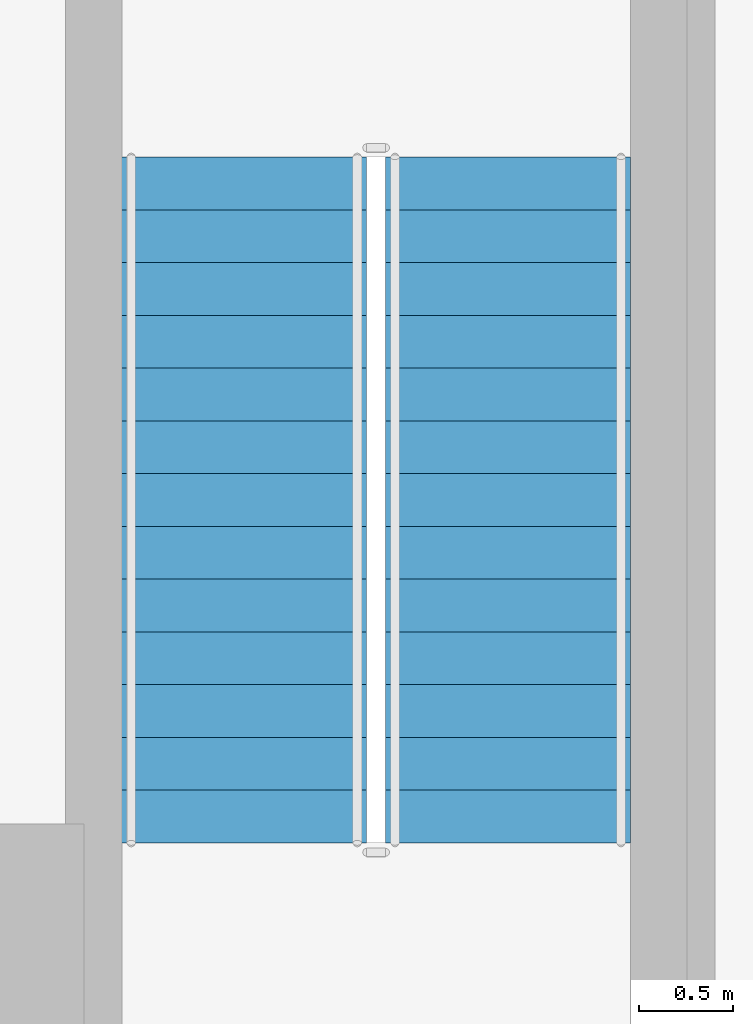
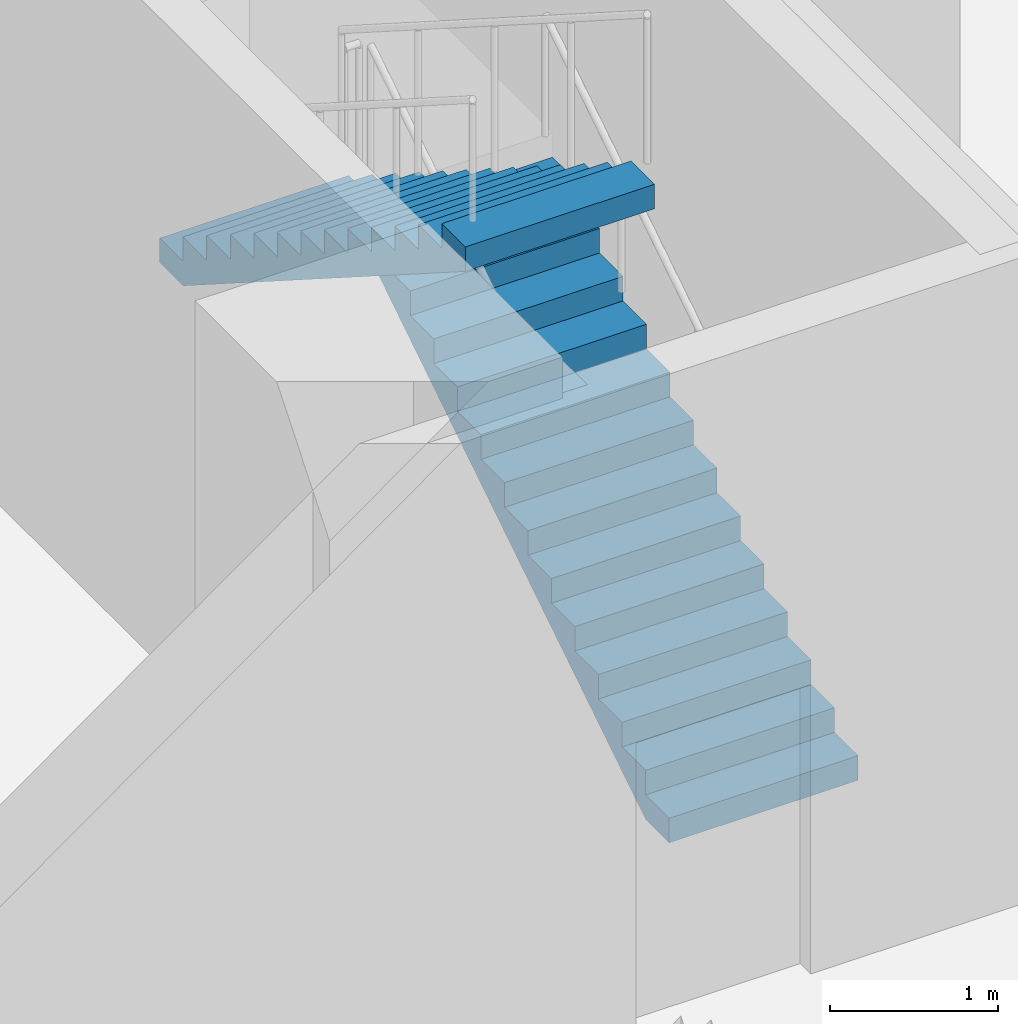
# One storey, part 15 of 31: 2 stair flights, 1 element without a shape of its own.
"""IFC4 building model written with IfcOpenShell, lengths in metres."""

from ifc_helpers import new_model, si_unit, direction, frame, origin, place, context, subcontext, project, spatial, triangles, source, transform, mapped, material, type_object, element, aggregate, save


model = new_model("IFC4")

# Units and contexts
model_context = context("Model", 3, precision=1e-05, world=origin(), true_north=direction((0.0, 1.0)))
body_context = subcontext(model_context, "Body", "Model", "MODEL_VIEW")
ifc_project = project(units=[si_unit("LENGTHUNIT", "METRE"), si_unit("AREAUNIT", "SQUARE_METRE"), si_unit("VOLUMEUNIT", "CUBIC_METRE"), si_unit("PLANEANGLEUNIT", "RADIAN"), si_unit("MASSUNIT", "GRAM", prefix="KILO")], contexts=[model_context])

# Site, building, storey
site_placement = place(None, origin())
site = spatial("IfcSite", under=ifc_project, at=site_placement, CompositionType="ELEMENT")
building_placement = place(site_placement, origin())
building = spatial("IfcBuilding", under=site, at=building_placement, Name="Ogive Portal Towers", CompositionType="ELEMENT")
storey_placement = place(building_placement, frame((0.0, 0.0, 13.5)))
storey = spatial("IfcBuildingStorey", under=building, at=storey_placement, Name="L02", CompositionType="ELEMENT", Elevation=13.5)

# Stair, stair flights
ifc_material = material(Name="Concrete C40/50", Category="concrete")
stair_type = type_object("IfcStairType", Name="INT-STAIR", PredefinedType="HALF_TURN_STAIR", material=ifc_material)
stair_placement = place(storey_placement, origin())
stair = element("IfcStair", 1, at=stair_placement, inside=storey, type_object=stair_type, Name="L02 Exit Stair ST-A3", PredefinedType="HALF_TURN_STAIR")
stair_flight_type = type_object("IfcStairFlightType", Name="INT-FLIGHT", PredefinedType="STRAIGHT", material=ifc_material)
shared_shape = source(origin(), body_context, "Body", "Tessellation", [
    triangles([(0.0, -0.650146484375, 0.0), (0.0, -0.376220703125, 0.0), (0.0, -0.192626953125, 0.0), (0.0, -0.081298828125, 0.0), (0.0, -0.024169921875, 0.0), (0.0, -0.003173828125, 0.0), (0.0, 0.0, 0.0), (0.0, 0.0029296875, 0.0), (0.0, 0.02392578125, 0.0), (0.0, 0.0810546875, 0.0), (0.0, 0.1923828125, 0.0), (0.0, 0.3759765625, 0.0), (0.0, 0.64990234375, 0.0), (0.0, -0.650146484375, 0.178466796875), (0.0, -0.376220703125, 0.178466796875), (0.0, -0.192626953125, 0.178466796875), (0.0, -0.081298828125, 0.178466796875), (0.0, -0.024169921875, 0.178466796875), (0.0, -0.003173828125, 0.178466796875), (0.0, 0.0, 0.178466796875), (0.0, 0.0029296875, 0.178466796875), (0.0, 0.02392578125, 0.178466796875), (0.0, 0.0810546875, 0.178466796875), (0.0, 0.1923828125, 0.178466796875), (0.0, 0.3759765625, 0.178466796875), (0.0, 0.64990234375, 0.178466796875), (0.280029296875, -0.650146484375, 0.178466796875), (0.280029296875, -0.376220703125, 0.178466796875), (0.280029296875, -0.192626953125, 0.178466796875), (0.280029296875, -0.081298828125, 0.178466796875), (0.280029296875, -0.024169921875, 0.178466796875), (0.280029296875, -0.003173828125, 0.178466796875), (0.280029296875, 0.0, 0.178466796875), (0.280029296875, 0.0029296875, 0.178466796875), (0.280029296875, 0.02392578125, 0.178466796875), (0.280029296875, 0.0810546875, 0.178466796875), (0.280029296875, 0.1923828125, 0.178466796875), (0.280029296875, 0.3759765625, 0.178466796875), (0.280029296875, 0.64990234375, 0.178466796875), (0.280029296875, -0.650146484375, 0.357177734375), (0.280029296875, -0.376220703125, 0.357177734375), (0.280029296875, -0.192626953125, 0.357177734375), (0.280029296875, -0.081298828125, 0.357177734375), (0.280029296875, -0.024169921875, 0.357177734375), (0.280029296875, -0.003173828125, 0.357177734375), (0.280029296875, 0.0, 0.357177734375), (0.280029296875, 0.0029296875, 0.357177734375), (0.280029296875, 0.02392578125, 0.357177734375), (0.280029296875, 0.0810546875, 0.357177734375), (0.280029296875, 0.1923828125, 0.357177734375), (0.280029296875, 0.3759765625, 0.357177734375), (0.280029296875, 0.64990234375, 0.357177734375), (0.56005859375, -0.650146484375, 0.357177734375), (0.56005859375, -0.376220703125, 0.357177734375), (0.56005859375, -0.192626953125, 0.357177734375), (0.56005859375, -0.081298828125, 0.357177734375), (0.56005859375, -0.024169921875, 0.357177734375), (0.56005859375, -0.003173828125, 0.357177734375), (0.56005859375, 0.0, 0.357177734375), (0.56005859375, 0.0029296875, 0.357177734375), (0.56005859375, 0.02392578125, 0.357177734375), (0.56005859375, 0.0810546875, 0.357177734375), (0.56005859375, 0.1923828125, 0.357177734375), (0.56005859375, 0.3759765625, 0.357177734375), (0.56005859375, 0.64990234375, 0.357177734375), (0.56005859375, -0.650146484375, 0.53564453125), (0.56005859375, -0.376220703125, 0.53564453125), (0.56005859375, -0.192626953125, 0.53564453125), (0.56005859375, -0.081298828125, 0.53564453125), (0.56005859375, -0.024169921875, 0.53564453125), (0.56005859375, -0.003173828125, 0.53564453125), (0.56005859375, 0.0, 0.53564453125), (0.56005859375, 0.0029296875, 0.53564453125), (0.56005859375, 0.02392578125, 0.53564453125), (0.56005859375, 0.0810546875, 0.53564453125), (0.56005859375, 0.1923828125, 0.53564453125), (0.56005859375, 0.3759765625, 0.53564453125), (0.56005859375, 0.64990234375, 0.53564453125), (0.840087890625, -0.650146484375, 0.53564453125), (0.840087890625, -0.376220703125, 0.53564453125), (0.840087890625, -0.192626953125, 0.53564453125), (0.840087890625, -0.081298828125, 0.53564453125), (0.840087890625, -0.024169921875, 0.53564453125), (0.840087890625, -0.003173828125, 0.53564453125), (0.840087890625, 0.0, 0.53564453125), (0.840087890625, 0.0029296875, 0.53564453125), (0.840087890625, 0.02392578125, 0.53564453125), (0.840087890625, 0.0810546875, 0.53564453125), (0.840087890625, 0.1923828125, 0.53564453125), (0.840087890625, 0.3759765625, 0.53564453125), (0.840087890625, 0.64990234375, 0.53564453125), (0.840087890625, -0.650146484375, 0.71435546875), (0.840087890625, -0.376220703125, 0.71435546875), (0.840087890625, -0.192626953125, 0.71435546875), (0.840087890625, -0.081298828125, 0.71435546875), (0.840087890625, -0.024169921875, 0.71435546875), (0.840087890625, -0.003173828125, 0.71435546875), (0.840087890625, 0.0, 0.71435546875), (0.840087890625, 0.0029296875, 0.71435546875), (0.840087890625, 0.02392578125, 0.71435546875), (0.840087890625, 0.0810546875, 0.71435546875), (0.840087890625, 0.1923828125, 0.71435546875), (0.840087890625, 0.3759765625, 0.71435546875), (0.840087890625, 0.64990234375, 0.71435546875), (1.1201171875, -0.650146484375, 0.71435546875), (1.1201171875, -0.376220703125, 0.71435546875), (1.1201171875, -0.192626953125, 0.71435546875), (1.1201171875, -0.081298828125, 0.71435546875), (1.1201171875, -0.024169921875, 0.71435546875), (1.1201171875, -0.003173828125, 0.71435546875), (1.1201171875, 0.0, 0.71435546875), (1.1201171875, 0.0029296875, 0.71435546875), (1.1201171875, 0.02392578125, 0.71435546875), (1.1201171875, 0.0810546875, 0.71435546875), (1.1201171875, 0.1923828125, 0.71435546875), (1.1201171875, 0.3759765625, 0.71435546875), (1.1201171875, 0.64990234375, 0.71435546875), (1.1201171875, -0.650146484375, 0.892822265625), (1.1201171875, -0.376220703125, 0.892822265625), (1.1201171875, -0.192626953125, 0.892822265625), (1.1201171875, -0.081298828125, 0.892822265625), (1.1201171875, -0.024169921875, 0.892822265625), (1.1201171875, -0.003173828125, 0.892822265625), (1.1201171875, 0.0, 0.892822265625), (1.1201171875, 0.0029296875, 0.892822265625), (1.1201171875, 0.02392578125, 0.892822265625), (1.1201171875, 0.0810546875, 0.892822265625), (1.1201171875, 0.1923828125, 0.892822265625), (1.1201171875, 0.3759765625, 0.892822265625), (1.1201171875, 0.64990234375, 0.892822265625), (1.39990234375, -0.650146484375, 0.892822265625), (1.39990234375, -0.376220703125, 0.892822265625), (1.39990234375, -0.192626953125, 0.892822265625), (1.39990234375, -0.081298828125, 0.892822265625), (1.39990234375, -0.024169921875, 0.892822265625), (1.39990234375, -0.003173828125, 0.892822265625), (1.39990234375, 0.0, 0.892822265625), (1.39990234375, 0.0029296875, 0.892822265625), (1.39990234375, 0.02392578125, 0.892822265625), (1.39990234375, 0.0810546875, 0.892822265625), (1.39990234375, 0.1923828125, 0.892822265625), (1.39990234375, 0.3759765625, 0.892822265625), (1.39990234375, 0.64990234375, 0.892822265625), (1.39990234375, -0.650146484375, 1.071533203125), (1.39990234375, -0.376220703125, 1.071533203125), (1.39990234375, -0.192626953125, 1.071533203125), (1.39990234375, -0.081298828125, 1.071533203125), (1.39990234375, -0.024169921875, 1.071533203125), (1.39990234375, -0.003173828125, 1.071533203125), (1.39990234375, 0.0, 1.071533203125), (1.39990234375, 0.0029296875, 1.071533203125), (1.39990234375, 0.02392578125, 1.071533203125), (1.39990234375, 0.0810546875, 1.071533203125), (1.39990234375, 0.1923828125, 1.071533203125), (1.39990234375, 0.3759765625, 1.071533203125), (1.39990234375, 0.64990234375, 1.071533203125), (1.679931640625, -0.650146484375, 1.071533203125), (1.679931640625, -0.376220703125, 1.071533203125), (1.679931640625, -0.192626953125, 1.071533203125), (1.679931640625, -0.081298828125, 1.071533203125), (1.679931640625, -0.024169921875, 1.071533203125), (1.679931640625, -0.003173828125, 1.071533203125), (1.679931640625, 0.0, 1.071533203125), (1.679931640625, 0.0029296875, 1.071533203125), (1.679931640625, 0.02392578125, 1.071533203125), (1.679931640625, 0.0810546875, 1.071533203125), (1.679931640625, 0.1923828125, 1.071533203125), (1.679931640625, 0.3759765625, 1.071533203125), (1.679931640625, 0.64990234375, 1.071533203125), (1.679931640625, -0.650146484375, 1.25), (1.679931640625, -0.376220703125, 1.25), (1.679931640625, -0.192626953125, 1.25), (1.679931640625, -0.081298828125, 1.25), (1.679931640625, -0.024169921875, 1.25), (1.679931640625, -0.003173828125, 1.25), (1.679931640625, 0.0, 1.25), (1.679931640625, 0.0029296875, 1.25), (1.679931640625, 0.02392578125, 1.25), (1.679931640625, 0.0810546875, 1.25), (1.679931640625, 0.1923828125, 1.25), (1.679931640625, 0.3759765625, 1.25), (1.679931640625, 0.64990234375, 1.25), (1.9599609375, -0.650146484375, 1.25), (1.9599609375, -0.376220703125, 1.25), (1.9599609375, -0.192626953125, 1.25), (1.9599609375, -0.081298828125, 1.25), (1.9599609375, -0.024169921875, 1.25), (1.9599609375, -0.003173828125, 1.25), (1.9599609375, 0.0, 1.25), (1.9599609375, 0.0029296875, 1.25), (1.9599609375, 0.02392578125, 1.25), (1.9599609375, 0.0810546875, 1.25), (1.9599609375, 0.1923828125, 1.25), (1.9599609375, 0.3759765625, 1.25), (1.9599609375, 0.64990234375, 1.25), (1.9599609375, -0.650146484375, 1.428466796875), (1.9599609375, -0.376220703125, 1.428466796875), (1.9599609375, -0.192626953125, 1.428466796875), (1.9599609375, -0.081298828125, 1.428466796875), (1.9599609375, -0.024169921875, 1.428466796875), (1.9599609375, -0.003173828125, 1.428466796875), (1.9599609375, 0.0, 1.428466796875), (1.9599609375, 0.0029296875, 1.428466796875), (1.9599609375, 0.02392578125, 1.428466796875), (1.9599609375, 0.0810546875, 1.428466796875), (1.9599609375, 0.1923828125, 1.428466796875), (1.9599609375, 0.3759765625, 1.428466796875), (1.9599609375, 0.64990234375, 1.428466796875), (2.239990234375, -0.650146484375, 1.428466796875), (2.239990234375, -0.376220703125, 1.428466796875), (2.239990234375, -0.192626953125, 1.428466796875), (2.239990234375, -0.081298828125, 1.428466796875), (2.239990234375, -0.024169921875, 1.428466796875), (2.239990234375, -0.003173828125, 1.428466796875), (2.239990234375, 0.0, 1.428466796875), (2.239990234375, 0.0029296875, 1.428466796875), (2.239990234375, 0.02392578125, 1.428466796875), (2.239990234375, 0.0810546875, 1.428466796875), (2.239990234375, 0.1923828125, 1.428466796875), (2.239990234375, 0.3759765625, 1.428466796875), (2.239990234375, 0.64990234375, 1.428466796875), (2.239990234375, -0.650146484375, 1.607177734375), (2.239990234375, -0.376220703125, 1.607177734375), (2.239990234375, -0.192626953125, 1.607177734375), (2.239990234375, -0.081298828125, 1.607177734375), (2.239990234375, -0.024169921875, 1.607177734375), (2.239990234375, -0.003173828125, 1.607177734375), (2.239990234375, 0.0, 1.607177734375), (2.239990234375, 0.0029296875, 1.607177734375), (2.239990234375, 0.02392578125, 1.607177734375), (2.239990234375, 0.0810546875, 1.607177734375), (2.239990234375, 0.1923828125, 1.607177734375), (2.239990234375, 0.3759765625, 1.607177734375), (2.239990234375, 0.64990234375, 1.607177734375), (2.52001953125, -0.650146484375, 1.607177734375), (2.52001953125, -0.376220703125, 1.607177734375), (2.52001953125, -0.192626953125, 1.607177734375), (2.52001953125, -0.081298828125, 1.607177734375), (2.52001953125, -0.024169921875, 1.607177734375), (2.52001953125, -0.003173828125, 1.607177734375), (2.52001953125, 0.0, 1.607177734375), (2.52001953125, 0.0029296875, 1.607177734375), (2.52001953125, 0.02392578125, 1.607177734375), (2.52001953125, 0.0810546875, 1.607177734375), (2.52001953125, 0.1923828125, 1.607177734375), (2.52001953125, 0.3759765625, 1.607177734375), (2.52001953125, 0.64990234375, 1.607177734375), (2.52001953125, -0.650146484375, 1.78564453125), (2.52001953125, -0.376220703125, 1.78564453125), (2.52001953125, -0.192626953125, 1.78564453125), (2.52001953125, -0.081298828125, 1.78564453125), (2.52001953125, -0.024169921875, 1.78564453125), (2.52001953125, -0.003173828125, 1.78564453125), (2.52001953125, 0.0, 1.78564453125), (2.52001953125, 0.0029296875, 1.78564453125), (2.52001953125, 0.02392578125, 1.78564453125), (2.52001953125, 0.0810546875, 1.78564453125), (2.52001953125, 0.1923828125, 1.78564453125), (2.52001953125, 0.3759765625, 1.78564453125), (2.52001953125, 0.64990234375, 1.78564453125), (2.800048828125, -0.650146484375, 1.78564453125), (2.800048828125, -0.376220703125, 1.78564453125), (2.800048828125, -0.192626953125, 1.78564453125), (2.800048828125, -0.081298828125, 1.78564453125), (2.800048828125, -0.024169921875, 1.78564453125), (2.800048828125, -0.003173828125, 1.78564453125), (2.800048828125, 0.0, 1.78564453125), (2.800048828125, 0.0029296875, 1.78564453125), (2.800048828125, 0.02392578125, 1.78564453125), (2.800048828125, 0.0810546875, 1.78564453125), (2.800048828125, 0.1923828125, 1.78564453125), (2.800048828125, 0.3759765625, 1.78564453125), (2.800048828125, 0.64990234375, 1.78564453125), (2.800048828125, -0.650146484375, 1.96435546875), (2.800048828125, -0.376220703125, 1.96435546875), (2.800048828125, -0.192626953125, 1.96435546875), (2.800048828125, -0.081298828125, 1.96435546875), (2.800048828125, -0.024169921875, 1.96435546875), (2.800048828125, -0.003173828125, 1.96435546875), (2.800048828125, 0.0, 1.96435546875), (2.800048828125, 0.0029296875, 1.96435546875), (2.800048828125, 0.02392578125, 1.96435546875), (2.800048828125, 0.0810546875, 1.96435546875), (2.800048828125, 0.1923828125, 1.96435546875), (2.800048828125, 0.3759765625, 1.96435546875), (2.800048828125, 0.64990234375, 1.96435546875), (3.080078125, -0.650146484375, 1.96435546875), (3.080078125, -0.376220703125, 1.96435546875), (3.080078125, -0.192626953125, 1.96435546875), (3.080078125, -0.081298828125, 1.96435546875), (3.080078125, -0.024169921875, 1.96435546875), (3.080078125, -0.003173828125, 1.96435546875), (3.080078125, 0.0, 1.96435546875), (3.080078125, 0.0029296875, 1.96435546875), (3.080078125, 0.02392578125, 1.96435546875), (3.080078125, 0.0810546875, 1.96435546875), (3.080078125, 0.1923828125, 1.96435546875), (3.080078125, 0.3759765625, 1.96435546875), (3.080078125, 0.64990234375, 1.96435546875), (3.080078125, -0.650146484375, 2.142822265625), (3.080078125, -0.376220703125, 2.142822265625), (3.080078125, -0.192626953125, 2.142822265625), (3.080078125, -0.081298828125, 2.142822265625), (3.080078125, -0.024169921875, 2.142822265625), (3.080078125, -0.003173828125, 2.142822265625), (3.080078125, 0.0, 2.142822265625), (3.080078125, 0.0029296875, 2.142822265625), (3.080078125, 0.02392578125, 2.142822265625), (3.080078125, 0.0810546875, 2.142822265625), (3.080078125, 0.1923828125, 2.142822265625), (3.080078125, 0.3759765625, 2.142822265625), (3.080078125, 0.64990234375, 2.142822265625), (3.360107421875, -0.650146484375, 2.142822265625), (3.360107421875, -0.376220703125, 2.142822265625), (3.360107421875, -0.192626953125, 2.142822265625), (3.360107421875, -0.081298828125, 2.142822265625), (3.360107421875, -0.024169921875, 2.142822265625), (3.360107421875, -0.003173828125, 2.142822265625), (3.360107421875, 0.0, 2.142822265625), (3.360107421875, 0.0029296875, 2.142822265625), (3.360107421875, 0.02392578125, 2.142822265625), (3.360107421875, 0.0810546875, 2.142822265625), (3.360107421875, 0.1923828125, 2.142822265625), (3.360107421875, 0.3759765625, 2.142822265625), (3.360107421875, 0.64990234375, 2.142822265625), (3.360107421875, -0.650146484375, 2.321533203125), (3.360107421875, -0.376220703125, 2.321533203125), (3.360107421875, -0.192626953125, 2.321533203125), (3.360107421875, -0.081298828125, 2.321533203125), (3.360107421875, -0.024169921875, 2.321533203125), (3.360107421875, -0.003173828125, 2.321533203125), (3.360107421875, 0.0, 2.321533203125), (3.360107421875, 0.0029296875, 2.321533203125), (3.360107421875, 0.02392578125, 2.321533203125), (3.360107421875, 0.0810546875, 2.321533203125), (3.360107421875, 0.1923828125, 2.321533203125), (3.360107421875, 0.3759765625, 2.321533203125), (3.360107421875, 0.64990234375, 2.321533203125), (3.639892578125, -0.650146484375, 2.321533203125), (3.639892578125, -0.376220703125, 2.321533203125), (3.639892578125, -0.192626953125, 2.321533203125), (3.639892578125, -0.081298828125, 2.321533203125), (3.639892578125, -0.024169921875, 2.321533203125), (3.639892578125, -0.003173828125, 2.321533203125), (3.639892578125, 0.0, 2.321533203125), (3.639892578125, 0.0029296875, 2.321533203125), (3.639892578125, 0.02392578125, 2.321533203125), (3.639892578125, 0.0810546875, 2.321533203125), (3.639892578125, 0.1923828125, 2.321533203125), (3.639892578125, 0.3759765625, 2.321533203125), (3.639892578125, 0.64990234375, 2.321533203125), (3.639892578125, -0.650146484375, 2.1435546875), (3.639892578125, -0.376220703125, 2.1435546875), (3.639892578125, -0.192626953125, 2.1435546875), (3.639892578125, -0.081298828125, 2.1435546875), (3.639892578125, -0.024169921875, 2.1435546875), (3.639892578125, -0.003173828125, 2.1435546875), (3.639892578125, 0.0, 2.1435546875), (3.639892578125, 0.0029296875, 2.1435546875), (3.639892578125, 0.02392578125, 2.1435546875), (3.639892578125, 0.0810546875, 2.1435546875), (3.639892578125, 0.1923828125, 2.1435546875), (3.639892578125, 0.3759765625, 2.1435546875), (3.639892578125, 0.64990234375, 2.1435546875), (0.27880859375, -0.650146484375, 0.0), (0.27880859375, -0.376220703125, 0.0), (0.27880859375, -0.192626953125, 0.0), (0.27880859375, -0.081298828125, 0.0), (0.27880859375, -0.024169921875, 0.0), (0.27880859375, -0.003173828125, 0.0), (0.27880859375, 0.0, 0.0), (0.27880859375, 0.0029296875, 0.0), (0.27880859375, 0.02392578125, 0.0), (0.27880859375, 0.0810546875, 0.0), (0.27880859375, 0.1923828125, 0.0), (0.27880859375, 0.3759765625, 0.0), (0.27880859375, 0.64990234375, 0.0)], [[1, 14, 15], [1, 15, 2], [2, 15, 16], [2, 16, 3], [3, 16, 17], [3, 17, 4], [4, 17, 18], [4, 18, 5], [5, 18, 19], [5, 19, 6], [6, 19, 20], [6, 20, 7], [7, 20, 21], [7, 21, 8], [8, 21, 22], [8, 22, 9], [9, 22, 23], [9, 23, 10], [10, 23, 24], [10, 24, 11], [11, 24, 25], [11, 25, 12], [12, 25, 26], [12, 26, 13], [14, 27, 28], [14, 28, 15], [15, 28, 29], [15, 29, 16], [16, 29, 30], [16, 30, 17], [17, 30, 31], [17, 31, 18], [18, 31, 32], [18, 32, 19], [19, 32, 33], [19, 33, 20], [20, 33, 34], [20, 34, 21], [21, 34, 35], [21, 35, 22], [22, 35, 36], [22, 36, 23], [23, 36, 37], [23, 37, 24], [24, 37, 38], [24, 38, 25], [25, 38, 39], [25, 39, 26], [27, 40, 41], [27, 41, 28], [28, 41, 42], [28, 42, 29], [29, 42, 43], [29, 43, 30], [30, 43, 44], [30, 44, 31], [31, 44, 45], [31, 45, 32], [32, 45, 46], [32, 46, 33], [33, 46, 47], [33, 47, 34], [34, 47, 48], [34, 48, 35], [35, 48, 49], [35, 49, 36], [36, 49, 50], [36, 50, 37], [37, 50, 51], [37, 51, 38], [38, 51, 52], [38, 52, 39], [40, 53, 54], [40, 54, 41], [41, 54, 55], [41, 55, 42], [42, 55, 56], [42, 56, 43], [43, 56, 57], [43, 57, 44], [44, 57, 58], [44, 58, 45], [45, 58, 59], [45, 59, 46], [46, 59, 60], [46, 60, 47], [47, 60, 61], [47, 61, 48], [48, 61, 62], [48, 62, 49], [49, 62, 63], [49, 63, 50], [50, 63, 64], [50, 64, 51], [51, 64, 65], [51, 65, 52], [53, 66, 67], [53, 67, 54], [54, 67, 68], [54, 68, 55], [55, 68, 69], [55, 69, 56], [56, 69, 70], [56, 70, 57], [57, 70, 71], [57, 71, 58], [58, 71, 72], [58, 72, 59], [59, 72, 73], [59, 73, 60], [60, 73, 74], [60, 74, 61], [61, 74, 75], [61, 75, 62], [62, 75, 76], [62, 76, 63], [63, 76, 77], [63, 77, 64], [64, 77, 78], [64, 78, 65], [66, 79, 80], [66, 80, 67], [67, 80, 81], [67, 81, 68], [68, 81, 82], [68, 82, 69], [69, 82, 83], [69, 83, 70], [70, 83, 84], [70, 84, 71], [71, 84, 85], [71, 85, 72], [72, 85, 86], [72, 86, 73], [73, 86, 87], [73, 87, 74], [74, 87, 88], [74, 88, 75], [75, 88, 89], [75, 89, 76], [76, 89, 90], [76, 90, 77], [77, 90, 91], [77, 91, 78], [79, 92, 93], [79, 93, 80], [80, 93, 94], [80, 94, 81], [81, 94, 95], [81, 95, 82], [82, 95, 96], [82, 96, 83], [83, 96, 97], [83, 97, 84], [84, 97, 98], [84, 98, 85], [85, 98, 99], [85, 99, 86], [86, 99, 100], [86, 100, 87], [87, 100, 101], [87, 101, 88], [88, 101, 102], [88, 102, 89], [89, 102, 103], [89, 103, 90], [90, 103, 104], [90, 104, 91], [92, 105, 106], [92, 106, 93], [93, 106, 107], [93, 107, 94], [94, 107, 108], [94, 108, 95], [95, 108, 109], [95, 109, 96], [96, 109, 110], [96, 110, 97], [97, 110, 111], [97, 111, 98], [98, 111, 112], [98, 112, 99], [99, 112, 113], [99, 113, 100], [100, 113, 114], [100, 114, 101], [101, 114, 115], [101, 115, 102], [102, 115, 116], [102, 116, 103], [103, 116, 117], [103, 117, 104], [105, 118, 119], [105, 119, 106], [106, 119, 120], [106, 120, 107], [107, 120, 121], [107, 121, 108], [108, 121, 122], [108, 122, 109], [109, 122, 123], [109, 123, 110], [110, 123, 124], [110, 124, 111], [111, 124, 125], [111, 125, 112], [112, 125, 126], [112, 126, 113], [113, 126, 127], [113, 127, 114], [114, 127, 128], [114, 128, 115], [115, 128, 129], [115, 129, 116], [116, 129, 130], [116, 130, 117], [118, 131, 132], [118, 132, 119], [119, 132, 133], [119, 133, 120], [120, 133, 134], [120, 134, 121], [121, 134, 135], [121, 135, 122], [122, 135, 136], [122, 136, 123], [123, 136, 137], [123, 137, 124], [124, 137, 138], [124, 138, 125], [125, 138, 139], [125, 139, 126], [126, 139, 140], [126, 140, 127], [127, 140, 141], [127, 141, 128], [128, 141, 142], [128, 142, 129], [129, 142, 143], [129, 143, 130], [131, 144, 145], [131, 145, 132], [132, 145, 146], [132, 146, 133], [133, 146, 147], [133, 147, 134], [134, 147, 148], [134, 148, 135], [135, 148, 149], [135, 149, 136], [136, 149, 150], [136, 150, 137], [137, 150, 151], [137, 151, 138], [138, 151, 152], [138, 152, 139], [139, 152, 153], [139, 153, 140], [140, 153, 154], [140, 154, 141], [141, 154, 155], [141, 155, 142], [142, 155, 156], [142, 156, 143], [144, 157, 158], [144, 158, 145], [145, 158, 159], [145, 159, 146], [146, 159, 160], [146, 160, 147], [147, 160, 161], [147, 161, 148], [148, 161, 162], [148, 162, 149], [149, 162, 163], [149, 163, 150], [150, 163, 164], [150, 164, 151], [151, 164, 165], [151, 165, 152], [152, 165, 166], [152, 166, 153], [153, 166, 167], [153, 167, 154], [154, 167, 168], [154, 168, 155], [155, 168, 169], [155, 169, 156], [157, 170, 171], [157, 171, 158], [158, 171, 172], [158, 172, 159], [159, 172, 173], [159, 173, 160], [160, 173, 174], [160, 174, 161], [161, 174, 175], [161, 175, 162], [162, 175, 176], [162, 176, 163], [163, 176, 177], [163, 177, 164], [164, 177, 178], [164, 178, 165], [165, 178, 179], [165, 179, 166], [166, 179, 180], [166, 180, 167], [167, 180, 181], [167, 181, 168], [168, 181, 182], [168, 182, 169], [170, 183, 184], [170, 184, 171], [171, 184, 185], [171, 185, 172], [172, 185, 186], [172, 186, 173], [173, 186, 187], [173, 187, 174], [174, 187, 188], [174, 188, 175], [175, 188, 189], [175, 189, 176], [176, 189, 190], [176, 190, 177], [177, 190, 191], [177, 191, 178], [178, 191, 192], [178, 192, 179], [179, 192, 193], [179, 193, 180], [180, 193, 194], [180, 194, 181], [181, 194, 195], [181, 195, 182], [183, 196, 197], [183, 197, 184], [184, 197, 198], [184, 198, 185], [185, 198, 199], [185, 199, 186], [186, 199, 200], [186, 200, 187], [187, 200, 201], [187, 201, 188], [188, 201, 202], [188, 202, 189], [189, 202, 203], [189, 203, 190], [190, 203, 204], [190, 204, 191], [191, 204, 205], [191, 205, 192], [192, 205, 206], [192, 206, 193], [193, 206, 207], [193, 207, 194], [194, 207, 208], [194, 208, 195], [196, 209, 210], [196, 210, 197], [197, 210, 211], [197, 211, 198], [198, 211, 212], [198, 212, 199], [199, 212, 213], [199, 213, 200], [200, 213, 214], [200, 214, 201], [201, 214, 215], [201, 215, 202], [202, 215, 216], [202, 216, 203], [203, 216, 217], [203, 217, 204], [204, 217, 218], [204, 218, 205], [205, 218, 219], [205, 219, 206], [206, 219, 220], [206, 220, 207], [207, 220, 221], [207, 221, 208], [209, 222, 223], [209, 223, 210], [210, 223, 224], [210, 224, 211], [211, 224, 225], [211, 225, 212], [212, 225, 226], [212, 226, 213], [213, 226, 227], [213, 227, 214], [214, 227, 228], [214, 228, 215], [215, 228, 229], [215, 229, 216], [216, 229, 230], [216, 230, 217], [217, 230, 231], [217, 231, 218], [218, 231, 232], [218, 232, 219], [219, 232, 233], [219, 233, 220], [220, 233, 234], [220, 234, 221], [222, 235, 236], [222, 236, 223], [223, 236, 237], [223, 237, 224], [224, 237, 238], [224, 238, 225], [225, 238, 239], [225, 239, 226], [226, 239, 240], [226, 240, 227], [227, 240, 241], [227, 241, 228], [228, 241, 242], [228, 242, 229], [229, 242, 243], [229, 243, 230], [230, 243, 244], [230, 244, 231], [231, 244, 245], [231, 245, 232], [232, 245, 246], [232, 246, 233], [233, 246, 247], [233, 247, 234], [235, 248, 249], [235, 249, 236], [236, 249, 250], [236, 250, 237], [237, 250, 251], [237, 251, 238], [238, 251, 252], [238, 252, 239], [239, 252, 253], [239, 253, 240], [240, 253, 254], [240, 254, 241], [241, 254, 255], [241, 255, 242], [242, 255, 256], [242, 256, 243], [243, 256, 257], [243, 257, 244], [244, 257, 258], [244, 258, 245], [245, 258, 259], [245, 259, 246], [246, 259, 260], [246, 260, 247], [248, 261, 262], [248, 262, 249], [249, 262, 263], [249, 263, 250], [250, 263, 264], [250, 264, 251], [251, 264, 265], [251, 265, 252], [252, 265, 266], [252, 266, 253], [253, 266, 267], [253, 267, 254], [254, 267, 268], [254, 268, 255], [255, 268, 269], [255, 269, 256], [256, 269, 270], [256, 270, 257], [257, 270, 271], [257, 271, 258], [258, 271, 272], [258, 272, 259], [259, 272, 273], [259, 273, 260], [261, 274, 275], [261, 275, 262], [262, 275, 276], [262, 276, 263], [263, 276, 277], [263, 277, 264], [264, 277, 278], [264, 278, 265], [265, 278, 279], [265, 279, 266], [266, 279, 280], [266, 280, 267], [267, 280, 281], [267, 281, 268], [268, 281, 282], [268, 282, 269], [269, 282, 283], [269, 283, 270], [270, 283, 284], [270, 284, 271], [271, 284, 285], [271, 285, 272], [272, 285, 286], [272, 286, 273], [274, 287, 288], [274, 288, 275], [275, 288, 289], [275, 289, 276], [276, 289, 290], [276, 290, 277], [277, 290, 291], [277, 291, 278], [278, 291, 292], [278, 292, 279], [279, 292, 293], [279, 293, 280], [280, 293, 294], [280, 294, 281], [281, 294, 295], [281, 295, 282], [282, 295, 296], [282, 296, 283], [283, 296, 297], [283, 297, 284], [284, 297, 298], [284, 298, 285], [285, 298, 299], [285, 299, 286], [287, 300, 301], [287, 301, 288], [288, 301, 302], [288, 302, 289], [289, 302, 303], [289, 303, 290], [290, 303, 304], [290, 304, 291], [291, 304, 305], [291, 305, 292], [292, 305, 306], [292, 306, 293], [293, 306, 307], [293, 307, 294], [294, 307, 308], [294, 308, 295], [295, 308, 309], [295, 309, 296], [296, 309, 310], [296, 310, 297], [297, 310, 311], [297, 311, 298], [298, 311, 312], [298, 312, 299], [300, 313, 314], [300, 314, 301], [301, 314, 315], [301, 315, 302], [302, 315, 316], [302, 316, 303], [303, 316, 317], [303, 317, 304], [304, 317, 318], [304, 318, 305], [305, 318, 319], [305, 319, 306], [306, 319, 320], [306, 320, 307], [307, 320, 321], [307, 321, 308], [308, 321, 322], [308, 322, 309], [309, 322, 323], [309, 323, 310], [310, 323, 324], [310, 324, 311], [311, 324, 325], [311, 325, 312], [313, 326, 327], [313, 327, 314], [314, 327, 328], [314, 328, 315], [315, 328, 329], [315, 329, 316], [316, 329, 330], [316, 330, 317], [317, 330, 331], [317, 331, 318], [318, 331, 332], [318, 332, 319], [319, 332, 333], [319, 333, 320], [320, 333, 334], [320, 334, 321], [321, 334, 335], [321, 335, 322], [322, 335, 336], [322, 336, 323], [323, 336, 337], [323, 337, 324], [324, 337, 338], [324, 338, 325], [326, 339, 340], [326, 340, 327], [327, 340, 341], [327, 341, 328], [328, 341, 342], [328, 342, 329], [329, 342, 343], [329, 343, 330], [330, 343, 344], [330, 344, 331], [331, 344, 345], [331, 345, 332], [332, 345, 346], [332, 346, 333], [333, 346, 347], [333, 347, 334], [334, 347, 348], [334, 348, 335], [335, 348, 349], [335, 349, 336], [336, 349, 350], [336, 350, 337], [337, 350, 351], [337, 351, 338], [339, 352, 353], [339, 353, 340], [340, 353, 354], [340, 354, 341], [341, 354, 355], [341, 355, 342], [342, 355, 356], [342, 356, 343], [343, 356, 357], [343, 357, 344], [344, 357, 358], [344, 358, 345], [345, 358, 359], [345, 359, 346], [346, 359, 360], [346, 360, 347], [347, 360, 361], [347, 361, 348], [348, 361, 362], [348, 362, 349], [349, 362, 363], [349, 363, 350], [350, 363, 364], [350, 364, 351], [352, 365, 366], [352, 366, 353], [353, 366, 367], [353, 367, 354], [354, 367, 368], [354, 368, 355], [355, 368, 369], [355, 369, 356], [356, 369, 370], [356, 370, 357], [357, 370, 371], [357, 371, 358], [358, 371, 372], [358, 372, 359], [359, 372, 373], [359, 373, 360], [360, 373, 374], [360, 374, 361], [361, 374, 375], [361, 375, 362], [362, 375, 376], [362, 376, 363], [363, 376, 377], [363, 377, 364], [365, 1, 2], [365, 2, 366], [366, 2, 3], [366, 3, 367], [367, 3, 4], [367, 4, 368], [368, 4, 5], [368, 5, 369], [369, 5, 6], [369, 6, 370], [370, 6, 7], [370, 7, 371], [371, 7, 8], [371, 8, 372], [372, 8, 9], [372, 9, 373], [373, 9, 10], [373, 10, 374], [374, 10, 11], [374, 11, 375], [375, 11, 12], [375, 12, 376], [376, 12, 13], [376, 13, 377], [1, 365, 352], [13, 364, 377], [352, 339, 326], [364, 338, 351], [352, 326, 313], [364, 325, 338], [313, 300, 287], [325, 299, 312], [352, 313, 287], [364, 299, 325], [287, 274, 261], [299, 273, 286], [352, 287, 261], [364, 273, 299], [261, 248, 235], [273, 247, 260], [352, 261, 235], [364, 247, 273], [235, 222, 209], [247, 221, 234], [352, 235, 209], [364, 221, 247], [209, 196, 183], [221, 195, 208], [352, 209, 183], [364, 195, 221], [183, 170, 157], [195, 169, 182], [352, 183, 157], [364, 169, 195], [157, 144, 131], [169, 143, 156], [352, 157, 131], [364, 143, 169], [131, 118, 105], [143, 117, 130], [352, 131, 105], [364, 117, 143], [105, 92, 79], [117, 91, 104], [352, 105, 79], [364, 91, 117], [79, 66, 53], [91, 65, 78], [352, 79, 53], [364, 65, 91], [53, 40, 27], [65, 39, 52], [352, 53, 27], [364, 39, 65], [1, 352, 27], [13, 39, 364], [27, 14, 1], [39, 13, 26]], closed=True),
])
stair_flight_1_placement = place(storey_placement, frame((43.550048828125, 67.199951171875, 0.0), z_axis=(0.0, 0.0, 1.0), x_axis=(0.0, 1.0, 0.0)))
stair_flight_1 = element("IfcStairFlight", 2, at=stair_flight_1_placement, type_object=stair_flight_type, Name="ST-A3 flight 1", NumberOfRisers=14, NumberOfTreads=13, PredefinedType="STRAIGHT", RiserHeight=0.178571429, TreadLength=0.28, context=body_context, shape_type="MappedRepresentation", body=[
    mapped(shared_shape, transform((0.0, 0.0, 0.0), scale=1.0)),
])
stair_flight_2_placement = place(storey_placement, frame((42.14990234375, 70.840087890625, 2.5), z_axis=(0.0, 0.0, 1.0), x_axis=(0.0, -1.0, 0.0)))
stair_flight_2 = element("IfcStairFlight", 3, at=stair_flight_2_placement, type_object=stair_flight_type, Name="ST-A3 flight 2", NumberOfRisers=14, NumberOfTreads=13, PredefinedType="STRAIGHT", RiserHeight=0.178571429, TreadLength=0.28, context=body_context, shape_type="MappedRepresentation", body=[
    mapped(shared_shape, transform((0.0, 0.0, 0.0), scale=1.0)),
])
aggregate(stair, [stair_flight_1, stair_flight_2])

save(model, "model.ifc")
